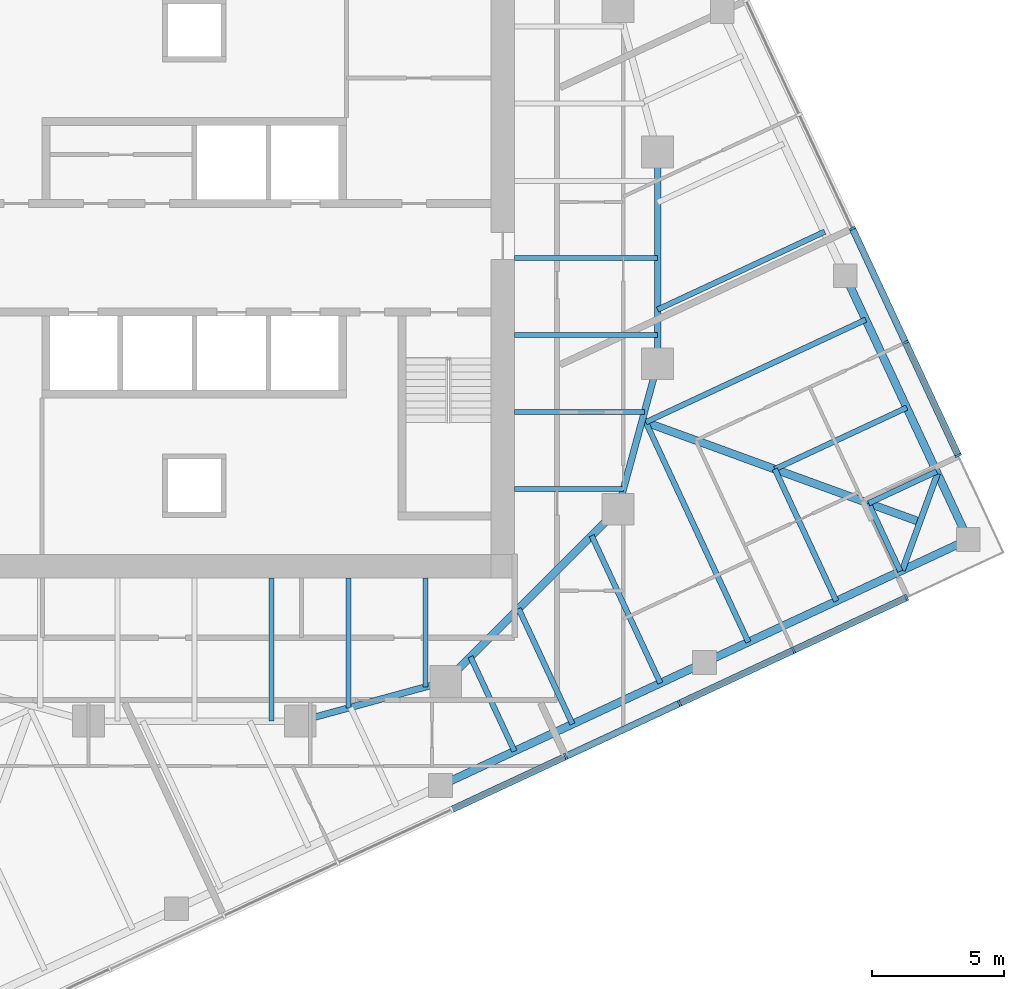
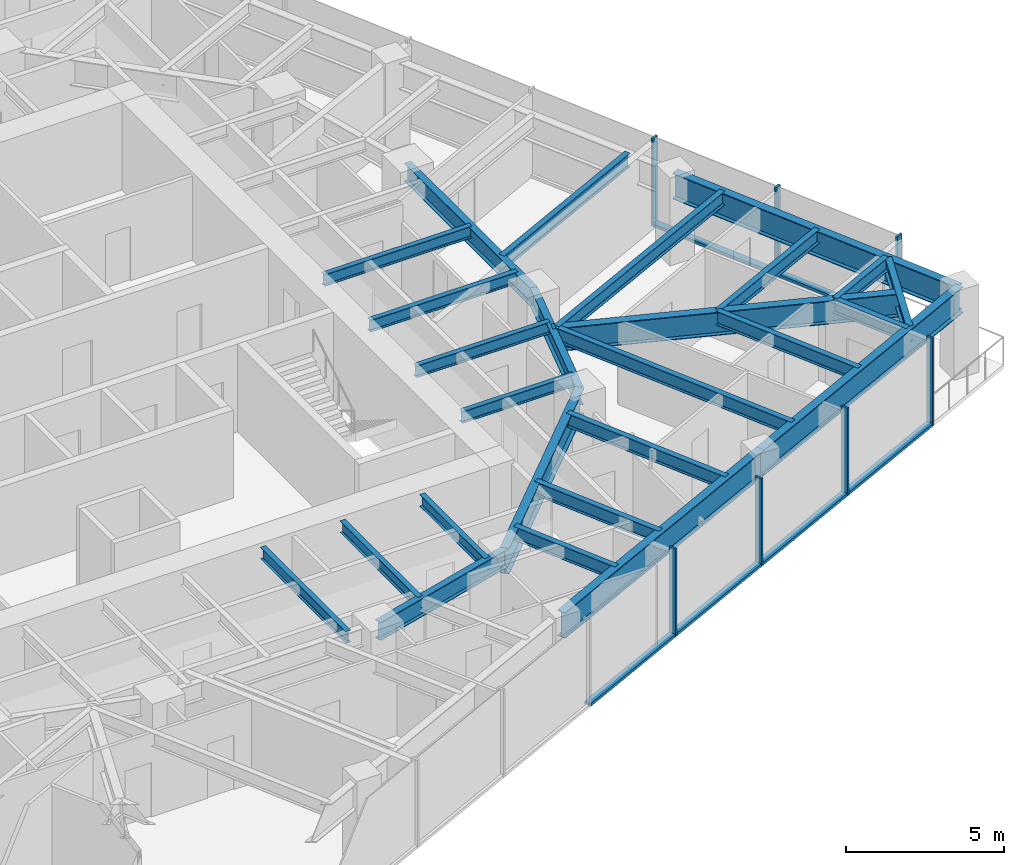
# One storey, part 3 of 12: 26 beams, 13 members, 2 elements without a shape of their own.
"""IFC4 building model written with IfcOpenShell, lengths in metres."""

from ifc_helpers import new_model, si_unit, direction, frame, origin, origin_2d, place, context, subcontext, project, spatial, rectangle, i_section, extrude, material, material_profile, profile_set, type_object, element, aggregate, save


model = new_model("IFC4")

# Units and contexts
model_context = context("Model", 3, precision=1e-05, world=origin(), true_north=direction((0.0, 1.0)))
body_context = subcontext(model_context, "Body", "Model", "MODEL_VIEW")
ifc_project = project(units=[si_unit("LENGTHUNIT", "METRE"), si_unit("AREAUNIT", "SQUARE_METRE"), si_unit("VOLUMEUNIT", "CUBIC_METRE"), si_unit("PLANEANGLEUNIT", "RADIAN"), si_unit("MASSUNIT", "GRAM", prefix="KILO")], contexts=[model_context])

# Site, building, storey
site_placement = place(None, origin())
site = spatial("IfcSite", under=ifc_project, at=site_placement, CompositionType="ELEMENT")
building_placement = place(site_placement, origin())
building = spatial("IfcBuilding", under=site, at=building_placement, Name="Torsade Residences", CompositionType="ELEMENT")
storey_placement = place(building_placement, frame((0.0, 0.0, 193.0)))
storey = spatial("IfcBuildingStorey", under=building, at=storey_placement, Name="L53", CompositionType="ELEMENT", Elevation=193.0)

# Beams
ifc_material_1 = material(Name="Steel grade 300", Category="steel")
ifc_material_profile_1 = material_profile(ifc_material_1, i_section(OverallWidth=0.300048828125, OverallDepth=0.89990234375, WebThickness=0.011962890625, FlangeThickness=0.02490234375, at=origin_2d()), Name="900WB175")
ifc_profile_set_1 = profile_set([ifc_material_profile_1], Name="Steel grade 300")
beam_type_1 = type_object("IfcBeamType", Name="CORNER GIRDER 900WB175", PredefinedType="BEAM", material=ifc_profile_set_1)
beam_1_placement = place(storey_placement, frame((67.4091796875, 20.02392578125, 2.800048828125), z_axis=(-0.93969447651, 0.342015044723, 0.0), x_axis=(-0.342015044723, -0.93969447651, 0.0)))
element("IfcBeam", 1, at=beam_1_placement, inside=storey, type_object=beam_type_1, Name="Corner girder 05 L54", PredefinedType="BEAM", context=body_context, shape_type="SweptSolid", body=[
    extrude(i_section(OverallWidth=0.300048828125, OverallDepth=0.89990234375, WebThickness=0.011962890625, FlangeThickness=0.02490234375, at=origin_2d()), origin(), (0.0, 0.0, 1.0), 11.170654296875),
])
ifc_material_2 = material(Name="Steel grade 300", Category="steel")
ifc_material_profile_2 = material_profile(ifc_material_2, i_section(OverallWidth=0.22802734375, OverallDepth=0.60205078125, WebThickness=0.010498046875, FlangeThickness=0.014892578125, FilletRadius=0.013916015625, at=origin_2d()), Name="610UB101")
ifc_profile_set_2 = profile_set([ifc_material_profile_2], Name="Steel grade 300")
beam_type_2 = type_object("IfcBeamType", Name="CORNER TRIMMER 610UB101", PredefinedType="BEAM", material=ifc_profile_set_2)
beam_2_placement = place(storey_placement, frame((68.07421875, 21.85107421875, 2.948974609375), z_axis=(-0.342005152204, -0.939698076972, 0.0), x_axis=(0.939698076972, -0.342005152204, 0.0)))
element("IfcBeam", 2, at=beam_2_placement, inside=storey, type_object=beam_type_2, Name="Corner trimmer 05 L54", PredefinedType="BEAM", context=body_context, shape_type="SweptSolid", body=[
    extrude(i_section(OverallWidth=0.22802734375, OverallDepth=0.60205078125, WebThickness=0.010498046875, FlangeThickness=0.014892578125, FilletRadius=0.013916015625, at=origin_2d()), origin(), (0.0, 0.0, 1.0), 3.88916015625),
])
ifc_material_3 = material(Name="Steel grade 300", Category="steel")
ifc_material_profile_3 = material_profile(ifc_material_3, i_section(OverallWidth=0.300048828125, OverallDepth=1.0, WebThickness=0.01611328125, FlangeThickness=0.028076171875, at=origin_2d()), Name="1000WB215")
ifc_profile_set_3 = profile_set([ifc_material_profile_3], Name="Steel grade 300")
beam_type_3 = type_object("IfcBeamType", Name="EDGE BEAM 1000WB215", PredefinedType="SPANDREL", material=ifc_profile_set_3)
for number, where, z_axis, x_axis, name in (
    (3, (49.297607421875, 10.061279296875, 2.75), (0.906313510001, 0.422605988587, 0.0), (-0.422605988587, 0.906313510001, 0.0), "Edge beam 03 L54"),
    (4, (59.26708984375, 14.7099609375, 2.75), (0.90630104482, 0.422632720171, 0.0), (-0.422632720171, 0.90630104482, 0.0), "Edge beam 04 L54"),
):
    element("IfcBeam", number, at=place(storey_placement, frame(where, z_axis=z_axis, x_axis=x_axis)), inside=storey, type_object=beam_type_3, Name=name, PredefinedType="SPANDREL", context=body_context, shape_type="SweptSolid", body=[
        extrude(i_section(OverallWidth=0.300048828125, OverallDepth=1.0, WebThickness=0.01611328125, FlangeThickness=0.028076171875, at=origin_2d()), origin(), (0.0, 0.0, 1.0), 11.0),
    ])
beam_3_placement = place(storey_placement, frame((69.236328125, 19.35888671875, 2.75), z_axis=(-0.422614489543, 0.906309546032, 0.0), x_axis=(-0.906309546032, -0.422614489543, 0.0)))
element("IfcBeam", 5, at=beam_3_placement, inside=storey, type_object=beam_type_3, Name="Edge beam 05 L54", PredefinedType="SPANDREL", context=body_context, shape_type="SweptSolid", body=[
    extrude(i_section(OverallWidth=0.300048828125, OverallDepth=1.0, WebThickness=0.01611328125, FlangeThickness=0.028076171875, at=origin_2d()), origin(), (0.0, 0.0, 1.0), 10.999755859375),
])
ifc_material_4 = material(Name="Steel grade 300", Category="steel")
ifc_material_profile_4 = material_profile(ifc_material_4, i_section(OverallWidth=0.18994140625, OverallDepth=0.4541015625, WebThickness=0.008544921875, FlangeThickness=0.0126953125, FilletRadius=0.011474609375, at=origin_2d()), Name="460UB67.1")
ifc_profile_set_4 = profile_set([ifc_material_profile_4], Name="Steel grade 300")
beam_type_4 = type_object("IfcBeamType", Name="INNER FLOOR BEAM 460UB67.1", PredefinedType="JOIST", material=ifc_profile_set_4)
beam_4_placement = place(storey_placement, frame((48.737548828125, 17.89990234375, 3.02294921875), z_axis=(0.0, -1.0, 0.0), x_axis=(1.0, 0.0, 0.0)))
element("IfcBeam", 6, at=beam_4_placement, inside=storey, type_object=beam_type_4, Name="Inner floor beam IS01 L54", PredefinedType="JOIST", context=body_context, shape_type="SweptSolid", body=[
    extrude(i_section(OverallWidth=0.18994140625, OverallDepth=0.4541015625, WebThickness=0.008544921875, FlangeThickness=0.0126953125, FilletRadius=0.011474609375, at=origin_2d()), origin(), (0.0, 0.0, 1.0), 4.10791015625),
])
beam_5_placement = place(storey_placement, frame((45.824951171875, 17.89990234375, 3.02294921875), z_axis=(0.0, -1.0, 0.0), x_axis=(1.0, 0.0, 0.0)))
element("IfcBeam", 7, at=beam_5_placement, inside=storey, type_object=beam_type_4, Name="Inner floor beam IS02 L54", PredefinedType="JOIST", context=body_context, shape_type="SweptSolid", body=[
    extrude(i_section(OverallWidth=0.18994140625, OverallDepth=0.4541015625, WebThickness=0.008544921875, FlangeThickness=0.0126953125, FilletRadius=0.011474609375, at=origin_2d()), origin(), (0.0, 0.0, 1.0), 4.902099609375),
])
beam_6_placement = place(storey_placement, frame((42.91259765625, 17.89990234375, 3.02294921875), z_axis=(0.0, -1.0, 0.0), x_axis=(1.0, 0.0, 0.0)))
element("IfcBeam", 8, at=beam_6_placement, inside=storey, type_object=beam_type_4, Name="Inner floor beam IS03 L54", PredefinedType="JOIST", context=body_context, shape_type="SweptSolid", body=[
    extrude(i_section(OverallWidth=0.18994140625, OverallDepth=0.4541015625, WebThickness=0.008544921875, FlangeThickness=0.0126953125, FilletRadius=0.011474609375, at=origin_2d()), origin(), (0.0, 0.0, 1.0), 5.39990234375),
])
beam_7_placement = place(storey_placement, frame((52.10009765625, 21.262451171875, 3.02294921875), z_axis=(1.0, 0.0, 0.0), x_axis=(0.0, 1.0, 0.0)))
element("IfcBeam", 9, at=beam_7_placement, inside=storey, type_object=beam_type_4, Name="Inner floor beam IE01 L54", PredefinedType="JOIST", context=body_context, shape_type="SweptSolid", body=[
    extrude(i_section(OverallWidth=0.18994140625, OverallDepth=0.4541015625, WebThickness=0.008544921875, FlangeThickness=0.0126953125, FilletRadius=0.011474609375, at=origin_2d()), origin(), (0.0, 0.0, 1.0), 4.10791015625),
])
beam_8_placement = place(storey_placement, frame((52.10009765625, 24.175048828125, 3.02294921875), z_axis=(1.0, 0.0, 0.0), x_axis=(0.0, 1.0, 0.0)))
element("IfcBeam", 10, at=beam_8_placement, inside=storey, type_object=beam_type_4, Name="Inner floor beam IE02 L54", PredefinedType="JOIST", context=body_context, shape_type="SweptSolid", body=[
    extrude(i_section(OverallWidth=0.18994140625, OverallDepth=0.4541015625, WebThickness=0.008544921875, FlangeThickness=0.0126953125, FilletRadius=0.011474609375, at=origin_2d()), origin(), (0.0, 0.0, 1.0), 4.902099609375),
])
for number, where, z_axis, x_axis, name in (
    (11, (52.10009765625, 27.08740234375, 3.02294921875), (1.0, 0.0, 0.0), (0.0, 1.0, 0.0), "Inner floor beam IE03 L54"),
    (12, (52.10009765625, 30.0, 3.02294921875), (1.0, 0.0, 0.0), (0.0, 1.0, 0.0), "Inner floor beam IE04 L54"),
):
    element("IfcBeam", number, at=place(storey_placement, frame(where, z_axis=z_axis, x_axis=x_axis)), inside=storey, type_object=beam_type_4, Name=name, PredefinedType="JOIST", context=body_context, shape_type="SweptSolid", body=[
        extrude(i_section(OverallWidth=0.18994140625, OverallDepth=0.4541015625, WebThickness=0.008544921875, FlangeThickness=0.0126953125, FilletRadius=0.011474609375, at=origin_2d()), origin(), (0.0, 0.0, 1.0), 5.39990234375),
    ])

# Curtain wall, members
ifc_material_5 = material(Name="Aluminium and glass", Category="aluminium")
curtain_wall_type = type_object("IfcCurtainWallType", Name="FRITTED GLASS CURTAIN WALL MID ZONE", PredefinedType="NOTDEFINED", material=ifc_material_5)
curtain_wall_1_placement = place(storey_placement, origin())
curtain_wall_1 = element("IfcCurtainWall", 13, at=curtain_wall_1_placement, inside=storey, type_object=curtain_wall_type, Name="Curtain wall L53 face 1", PredefinedType="NOTDEFINED")
ifc_material_6 = material(Name="Aluminium mullion", Category="aluminium")
ifc_material_profile_5 = material_profile(ifc_material_6, rectangle(XDim=0.25, YDim=0.080078125, at=origin_2d()), Name="MID ZONE CURTAIN WALL MULLION 250x80")
ifc_profile_set_5 = profile_set([ifc_material_profile_5], Name="Aluminium mullion")
member_type_1 = type_object("IfcMemberType", Name="MID ZONE CURTAIN WALL MULLION 250x80", PredefinedType="MULLION", material=ifc_profile_set_5)
member_1_placement = place(storey_placement, frame((54.025146484375, 11.162353515625, 0.0), z_axis=(0.0, 0.0, 1.0), x_axis=(-0.422618261978, 0.906307786926, 0.0)))
member_1 = element("IfcMember", 14, at=member_1_placement, type_object=member_type_1, Name="Mullion 6", PredefinedType="MULLION", context=body_context, shape_type="SweptSolid", body=[
    extrude(rectangle(XDim=0.25, YDim=0.080078125, at=origin_2d()), origin(), (0.0, 0.0, 1.0), 3.39990234375),
])
member_2_placement = place(storey_placement, frame((58.330078125, 13.169677734375, 0.0), z_axis=(0.0, 0.0, 1.0), x_axis=(-0.422618261978, 0.906307786926, 0.0)))
member_2 = element("IfcMember", 15, at=member_2_placement, type_object=member_type_1, Name="Mullion 7", PredefinedType="MULLION", context=body_context, shape_type="SweptSolid", body=[
    extrude(rectangle(XDim=0.25, YDim=0.080078125, at=origin_2d()), origin(), (0.0, 0.0, 1.0), 3.39990234375),
])
member_3_placement = place(storey_placement, frame((62.635009765625, 15.17724609375, 0.0), z_axis=(0.0, 0.0, 1.0), x_axis=(-0.422618261978, 0.906307786926, 0.0)))
member_3 = element("IfcMember", 16, at=member_3_placement, type_object=member_type_1, Name="Mullion 8", PredefinedType="MULLION", context=body_context, shape_type="SweptSolid", body=[
    extrude(rectangle(XDim=0.25, YDim=0.080078125, at=origin_2d()), origin(), (0.0, 0.0, 1.0), 3.39990234375),
])
member_4_placement = place(storey_placement, frame((66.90380859375, 17.167724609375, 0.0), z_axis=(0.0, 0.0, 1.0), x_axis=(-0.422618261978, 0.906307786926, 0.0)))
member_4 = element("IfcMember", 17, at=member_4_placement, type_object=member_type_1, Name="Mullion 9", PredefinedType="MULLION", context=body_context, shape_type="SweptSolid", body=[
    extrude(rectangle(XDim=0.25, YDim=0.080078125, at=origin_2d()), origin(), (0.0, 0.0, 1.0), 3.39990234375),
])

curtain_wall_2_placement = place(storey_placement, origin())
curtain_wall_2 = element("IfcCurtainWall", 18, at=curtain_wall_2_placement, inside=storey, type_object=curtain_wall_type, Name="Curtain wall L53 face 4", PredefinedType="NOTDEFINED")
member_5_placement = place(storey_placement, frame((68.85791015625, 22.53662109375, 0.0), z_axis=(0.0, 0.0, 1.0), x_axis=(-0.906307786926, -0.422618261978, 0.0)))
member_5 = element("IfcMember", 19, at=member_5_placement, type_object=member_type_1, Name="Mullion 1", PredefinedType="MULLION", context=body_context, shape_type="SweptSolid", body=[
    extrude(rectangle(XDim=0.25, YDim=0.080078125, at=origin_2d()), origin(), (0.0, 0.0, 1.0), 3.39990234375),
])
member_6_placement = place(storey_placement, frame((66.867431640625, 26.805419921875, 0.0), z_axis=(0.0, 0.0, 1.0), x_axis=(-0.906307786926, -0.422618261978, 0.0)))
member_6 = element("IfcMember", 20, at=member_6_placement, type_object=member_type_1, Name="Mullion 2", PredefinedType="MULLION", context=body_context, shape_type="SweptSolid", body=[
    extrude(rectangle(XDim=0.25, YDim=0.080078125, at=origin_2d()), origin(), (0.0, 0.0, 1.0), 3.39990234375),
])
member_7_placement = place(storey_placement, frame((64.85986328125, 31.1103515625, 0.0), z_axis=(0.0, 0.0, 1.0), x_axis=(-0.906307786926, -0.422618261978, 0.0)))
member_7 = element("IfcMember", 21, at=member_7_placement, type_object=member_type_1, Name="Mullion 3", PredefinedType="MULLION", context=body_context, shape_type="SweptSolid", body=[
    extrude(rectangle(XDim=0.25, YDim=0.080078125, at=origin_2d()), origin(), (0.0, 0.0, 1.0), 3.39990234375),
])

# Member
ifc_material_7 = material(Name="Aluminium transom", Category="aluminium")
ifc_material_profile_6 = material_profile(ifc_material_7, rectangle(XDim=0.25, YDim=0.110107421875, at=origin_2d()), Name="MID ZONE CURTAIN WALL TRANSOM 250x110")
ifc_profile_set_6 = profile_set([ifc_material_profile_6], Name="Aluminium transom")
member_type_2 = type_object("IfcMemberType", Name="MID ZONE CURTAIN WALL TRANSOM 250x110", PredefinedType="USERDEFINED", material=ifc_profile_set_6)
member_8_placement = place(storey_placement, frame((49.756591796875, 9.171875, 0.054931640625), z_axis=(0.906305976097, 0.422622145291, 0.0), x_axis=(-0.422622145291, 0.906305976097, 0.0)))
member_8 = element("IfcMember", 22, at=member_8_placement, type_object=member_type_2, Name="Transom 5.1", ObjectType="TRANSOM", PredefinedType="USERDEFINED", context=body_context, shape_type="SweptSolid", body=[
    extrude(rectangle(XDim=0.25, YDim=0.110107421875, at=origin_2d()), origin(), (0.0, 0.0, 1.0), 4.669921875),
])

member_9_placement = place(storey_placement, frame((54.0615234375, 11.17919921875, 0.054931640625), z_axis=(0.906305976097, 0.422622145291, 0.0), x_axis=(-0.422622145291, 0.906305976097, 0.0)))
member_9 = element("IfcMember", 23, at=member_9_placement, type_object=member_type_2, Name="Transom 6.1", ObjectType="TRANSOM", PredefinedType="USERDEFINED", context=body_context, shape_type="SweptSolid", body=[
    extrude(rectangle(XDim=0.25, YDim=0.110107421875, at=origin_2d()), origin(), (0.0, 0.0, 1.0), 4.669921875),
])

member_10_placement = place(storey_placement, frame((58.366455078125, 13.186767578125, 0.054931640625), z_axis=(0.906305976097, 0.422622145291, 0.0), x_axis=(-0.422622145291, 0.906305976097, 0.0)))
member_10 = element("IfcMember", 24, at=member_10_placement, type_object=member_type_2, Name="Transom 7.1", ObjectType="TRANSOM", PredefinedType="USERDEFINED", context=body_context, shape_type="SweptSolid", body=[
    extrude(rectangle(XDim=0.25, YDim=0.110107421875, at=origin_2d()), origin(), (0.0, 0.0, 1.0), 4.669921875),
])

member_11_placement = place(storey_placement, frame((62.67138671875, 15.194091796875, 0.054931640625), z_axis=(0.906305687176, 0.422622764878, 0.0), x_axis=(-0.422622764878, 0.906305687176, 0.0)))
member_11 = element("IfcMember", 25, at=member_11_placement, type_object=member_type_2, Name="Transom 8.1", ObjectType="TRANSOM", PredefinedType="USERDEFINED", context=body_context, shape_type="SweptSolid", body=[
    extrude(rectangle(XDim=0.25, YDim=0.110107421875, at=origin_2d()), origin(), (0.0, 0.0, 1.0), 4.630126953125),
])

aggregate(curtain_wall_1, [member_1, member_2, member_3, member_4, member_8, member_9, member_10, member_11])

member_12_placement = place(storey_placement, frame((68.841064453125, 22.572998046875, 0.054931640625), z_axis=(-0.422642962277, 0.906296268578, 0.0), x_axis=(-0.906296268578, -0.422642962277, 0.0)))
member_12 = element("IfcMember", 26, at=member_12_placement, type_object=member_type_2, Name="Transom 1.1", ObjectType="TRANSOM", PredefinedType="USERDEFINED", context=body_context, shape_type="SweptSolid", body=[
    extrude(rectangle(XDim=0.25, YDim=0.110107421875, at=origin_2d()), origin(), (0.0, 0.0, 1.0), 4.6298828125),
])

member_13_placement = place(storey_placement, frame((66.8505859375, 26.841552734375, 0.054931640625), z_axis=(-0.422622145291, 0.906305976097, 0.0), x_axis=(-0.906305976097, -0.422622145291, 0.0)))
member_13 = element("IfcMember", 27, at=member_13_placement, type_object=member_type_2, Name="Transom 2.1", ObjectType="TRANSOM", PredefinedType="USERDEFINED", context=body_context, shape_type="SweptSolid", body=[
    extrude(rectangle(XDim=0.25, YDim=0.110107421875, at=origin_2d()), origin(), (0.0, 0.0, 1.0), 4.669921875),
])

aggregate(curtain_wall_2, [member_5, member_6, member_7, member_12, member_13])

# Beams
ifc_material_8 = material(Name="Steel grade 300", Category="steel")
ifc_material_profile_7 = material_profile(ifc_material_8, i_section(OverallWidth=0.300048828125, OverallDepth=1.0, WebThickness=0.01611328125, FlangeThickness=0.028076171875, at=origin_2d()), Name="1000WB215")
ifc_profile_set_7 = profile_set([ifc_material_profile_7], Name="Steel grade 300")
beam_type_5 = type_object("IfcBeamType", Name="RING CORNER GIRDER 1000WB215", PredefinedType="BEAM", material=ifc_profile_set_7)
beam_9_placement = place(storey_placement, frame((49.5, 14.0, 2.75), z_axis=(0.707106781187, 0.707106781187, 0.0), x_axis=(-0.707106781187, 0.707106781187, 0.0)))
element("IfcBeam", 28, at=beam_9_placement, inside=storey, type_object=beam_type_5, Name="Ring girder IR15 L54", PredefinedType="BEAM", context=body_context, shape_type="SweptSolid", body=[
    extrude(i_section(OverallWidth=0.300048828125, OverallDepth=1.0, WebThickness=0.01611328125, FlangeThickness=0.028076171875, at=origin_2d()), origin(), (0.0, 0.0, 1.0), 9.1923828125),
])
ifc_material_9 = material(Name="Steel grade 300", Category="steel")
ifc_material_profile_8 = material_profile(ifc_material_9, i_section(OverallWidth=0.25, OverallDepth=0.699951171875, WebThickness=0.010009765625, FlangeThickness=0.02001953125, at=origin_2d()), Name="700WB130")
ifc_profile_set_8 = profile_set([ifc_material_profile_8], Name="Steel grade 300")
beam_type_6 = type_object("IfcBeamType", Name="RING GIRDER 700WB130", PredefinedType="BEAM", material=ifc_profile_set_8)
beam_10_placement = place(storey_placement, frame((57.5, 26.0, 2.89990234375), z_axis=(0.0, 1.0, 0.0), x_axis=(-1.0, 0.0, 0.0)))
element("IfcBeam", 29, at=beam_10_placement, inside=storey, type_object=beam_type_6, Name="Ring girder IR01 L54", PredefinedType="BEAM", context=body_context, shape_type="SweptSolid", body=[
    extrude(i_section(OverallWidth=0.25, OverallDepth=0.699951171875, WebThickness=0.010009765625, FlangeThickness=0.02001953125, at=origin_2d()), origin(), (0.0, 0.0, 1.0), 8.0),
])
for number, where, z_axis, x_axis, name in (
    (30, (44.0, 12.5, 2.89990234375), (0.964763821238, 0.263117405792, 0.0), (-0.263117405792, 0.964763821238, 0.0), "Ring girder IR14 L54"),
    (31, (56.0, 20.5, 2.89990234375), (0.263117405792, 0.964763821238, 0.0), (-0.964763821238, 0.263117405792, 0.0), "Ring girder IR16 L54"),
):
    element("IfcBeam", number, at=place(storey_placement, frame(where, z_axis=z_axis, x_axis=x_axis)), inside=storey, type_object=beam_type_6, Name=name, PredefinedType="BEAM", context=body_context, shape_type="SweptSolid", body=[
        extrude(i_section(OverallWidth=0.25, OverallDepth=0.699951171875, WebThickness=0.010009765625, FlangeThickness=0.02001953125, at=origin_2d()), origin(), (0.0, 0.0, 1.0), 5.700927734375),
    ])
ifc_material_10 = material(Name="Steel grade 300", Category="steel")
ifc_material_profile_9 = material_profile(ifc_material_10, i_section(OverallWidth=0.208984375, OverallDepth=0.528076171875, WebThickness=0.009521484375, FlangeThickness=0.01318359375, FilletRadius=0.013916015625, at=origin_2d()), Name="530UB82.0")
ifc_profile_set_9 = profile_set([ifc_material_profile_9], Name="Steel grade 300")
beam_type_7 = type_object("IfcBeamType", Name="SECONDARY BEAM 530UB82.0", PredefinedType="JOIST", material=ifc_profile_set_9)
beam_11_placement = place(storey_placement, frame((52.092041015625, 11.3642578125, 2.986083984375), z_axis=(-0.422644222818, 0.906295680735, 0.0), x_axis=(-0.906295680735, -0.422644222818, 0.0)))
element("IfcBeam", 32, at=beam_11_placement, inside=storey, type_object=beam_type_7, Name="Floor beam FS07 L54", PredefinedType="JOIST", context=body_context, shape_type="SweptSolid", body=[
    extrude(i_section(OverallWidth=0.208984375, OverallDepth=0.528076171875, WebThickness=0.009521484375, FlangeThickness=0.01318359375, FilletRadius=0.013916015625, at=origin_2d()), origin(), (0.0, 0.0, 1.0), 3.933837890625),
])
beam_12_placement = place(storey_placement, frame((54.2822265625, 12.3857421875, 2.986083984375), z_axis=(-0.422618876857, 0.906307500203, 0.0), x_axis=(-0.906307500203, -0.422618876857, 0.0)))
element("IfcBeam", 33, at=beam_12_placement, inside=storey, type_object=beam_type_7, Name="Floor beam FS08 L54", PredefinedType="JOIST", context=body_context, shape_type="SweptSolid", body=[
    extrude(i_section(OverallWidth=0.208984375, OverallDepth=0.528076171875, WebThickness=0.009521484375, FlangeThickness=0.01318359375, FilletRadius=0.013916015625, at=origin_2d()), origin(), (0.0, 0.0, 1.0), 4.813232421875),
])
beam_13_placement = place(storey_placement, frame((57.60546875, 13.935302734375, 2.986083984375), z_axis=(-0.42264848683, 0.906293692233, 0.0), x_axis=(-0.906293692233, -0.42264848683, 0.0)))
element("IfcBeam", 34, at=beam_13_placement, inside=storey, type_object=beam_type_7, Name="Floor beam FS09 L54", PredefinedType="JOIST", context=body_context, shape_type="SweptSolid", body=[
    extrude(i_section(OverallWidth=0.208984375, OverallDepth=0.528076171875, WebThickness=0.009521484375, FlangeThickness=0.01318359375, FilletRadius=0.013916015625, at=origin_2d()), origin(), (0.0, 0.0, 1.0), 6.14794921875),
])
beam_14_placement = place(storey_placement, frame((60.928466796875, 15.48486328125, 2.986083984375), z_axis=(-0.422618627092, 0.90630761667, 0.0), x_axis=(-0.90630761667, -0.422618627092, 0.0)))
element("IfcBeam", 35, at=beam_14_placement, inside=storey, type_object=beam_type_7, Name="Floor beam FS10 L54", PredefinedType="JOIST", context=body_context, shape_type="SweptSolid", body=[
    extrude(i_section(OverallWidth=0.208984375, OverallDepth=0.528076171875, WebThickness=0.009521484375, FlangeThickness=0.01318359375, FilletRadius=0.013916015625, at=origin_2d()), origin(), (0.0, 0.0, 1.0), 9.166748046875),
])
beam_15_placement = place(storey_placement, frame((64.251708984375, 17.034423828125, 2.986083984375), z_axis=(-0.422632720171, 0.90630104482, 0.0), x_axis=(-0.90630104482, -0.422632720171, 0.0)))
element("IfcBeam", 36, at=beam_15_placement, inside=storey, type_object=beam_type_7, Name="Floor beam FS11 L54", PredefinedType="JOIST", context=body_context, shape_type="SweptSolid", body=[
    extrude(i_section(OverallWidth=0.208984375, OverallDepth=0.528076171875, WebThickness=0.009521484375, FlangeThickness=0.01318359375, FilletRadius=0.013916015625, at=origin_2d()), origin(), (0.0, 0.0, 1.0), 5.5),
])
for number, where, z_axis, x_axis, name in (
    (37, (66.66845703125, 18.161376953125, 2.986083984375), (-0.42257409885, 0.906328379221, 0.0), (-0.906328379221, -0.42257409885, 0.0), "Floor beam FS12 L54"),
    (38, (68.0390625, 21.9267578125, 2.986083984375), (-0.906295375613, -0.422644877104, 0.0), (0.422644877104, -0.906295375613, 0.0), "Floor beam FE01 L54"),
):
    element("IfcBeam", number, at=place(storey_placement, frame(where, z_axis=z_axis, x_axis=x_axis)), inside=storey, type_object=beam_type_7, Name=name, PredefinedType="JOIST", context=body_context, shape_type="SweptSolid", body=[
        extrude(i_section(OverallWidth=0.208984375, OverallDepth=0.528076171875, WebThickness=0.009521484375, FlangeThickness=0.01318359375, FilletRadius=0.013916015625, at=origin_2d()), origin(), (0.0, 0.0, 1.0), 2.833251953125),
    ])
beam_16_placement = place(storey_placement, frame((66.911865234375, 24.343505859375, 2.986083984375), z_axis=(-0.90630104482, -0.422632720171, 0.0), x_axis=(0.422632720171, -0.90630104482, 0.0)))
element("IfcBeam", 39, at=beam_16_placement, inside=storey, type_object=beam_type_7, Name="Floor beam FE02 L54", PredefinedType="JOIST", context=body_context, shape_type="SweptSolid", body=[
    extrude(i_section(OverallWidth=0.208984375, OverallDepth=0.528076171875, WebThickness=0.009521484375, FlangeThickness=0.01318359375, FilletRadius=0.013916015625, at=origin_2d()), origin(), (0.0, 0.0, 1.0), 5.5),
])
beam_17_placement = place(storey_placement, frame((65.3623046875, 27.666748046875, 2.986083984375), z_axis=(-0.90630761667, -0.422618627092, 0.0), x_axis=(0.422618627092, -0.90630761667, 0.0)))
element("IfcBeam", 40, at=beam_17_placement, inside=storey, type_object=beam_type_7, Name="Floor beam FE03 L54", PredefinedType="JOIST", context=body_context, shape_type="SweptSolid", body=[
    extrude(i_section(OverallWidth=0.208984375, OverallDepth=0.528076171875, WebThickness=0.009521484375, FlangeThickness=0.01318359375, FilletRadius=0.013916015625, at=origin_2d()), origin(), (0.0, 0.0, 1.0), 9.166748046875),
])
beam_18_placement = place(storey_placement, frame((63.812744140625, 30.98974609375, 2.986083984375), z_axis=(-0.906312044376, -0.422609131726, 0.0), x_axis=(0.422609131726, -0.906312044376, 0.0)))
element("IfcBeam", 41, at=beam_18_placement, inside=storey, type_object=beam_type_7, Name="Floor beam FE04 L54", PredefinedType="JOIST", context=body_context, shape_type="SweptSolid", body=[
    extrude(i_section(OverallWidth=0.208984375, OverallDepth=0.528076171875, WebThickness=0.009521484375, FlangeThickness=0.01318359375, FilletRadius=0.013916015625, at=origin_2d()), origin(), (0.0, 0.0, 1.0), 6.96533203125),
])

save(model, "model.ifc")
